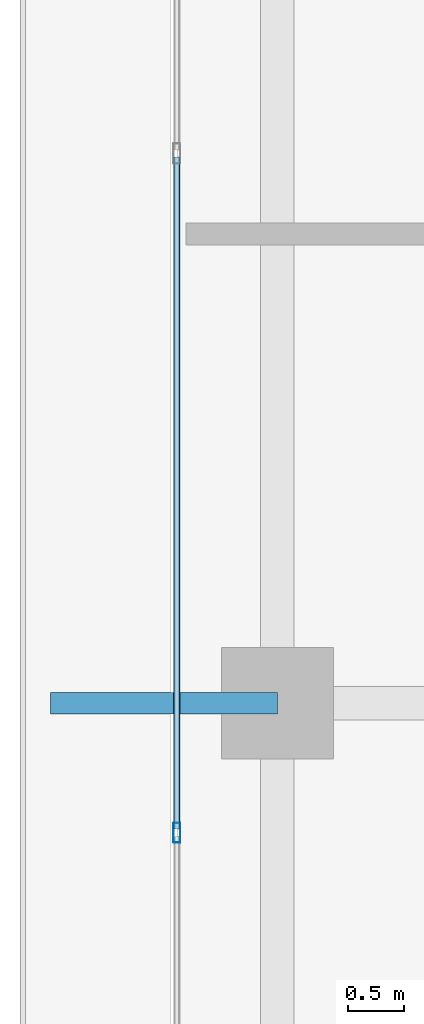
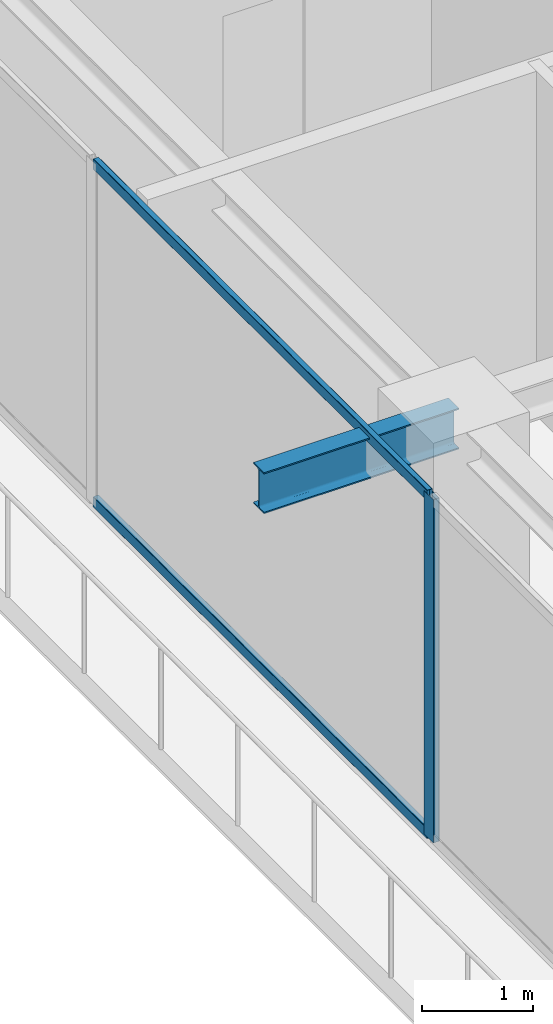
# One storey, part 10 of 42: 3 members, 1 beam, 1 element without a shape of its own.
"""IFC4 building model written with IfcOpenShell, lengths in metres."""

from ifc_helpers import new_model, si_unit, direction, frame, origin, origin_2d, place, context, subcontext, project, spatial, hollow_rectangle, i_section, extrude, source, transform, mapped, material, layer, layer_set, material_profile, profile_set, type_object, element, aggregate, save


model = new_model("IFC4")

# Units and contexts
model_context = context("Model", 3, precision=1e-05, world=origin(), true_north=direction((0.0, 1.0)))
body_context = subcontext(model_context, "Body", "Model", "MODEL_VIEW")
ifc_project = project(units=[si_unit("LENGTHUNIT", "METRE"), si_unit("AREAUNIT", "SQUARE_METRE"), si_unit("VOLUMEUNIT", "CUBIC_METRE"), si_unit("PLANEANGLEUNIT", "RADIAN"), si_unit("MASSUNIT", "GRAM", prefix="KILO")], contexts=[model_context])

# Site, building, storey
site_placement = place(None, origin())
site = spatial("IfcSite", under=ifc_project, at=site_placement, CompositionType="ELEMENT")
building_placement = place(site_placement, origin())
building = spatial("IfcBuilding", under=site, at=building_placement, Name="Serunith Strait Residences", CompositionType="ELEMENT")
storey_placement = place(building_placement, frame((0.0, 0.0, 309.64990234375)))
storey = spatial("IfcBuildingStorey", under=building, at=storey_placement, Name="L77", CompositionType="ELEMENT", Elevation=309.64990234375)

# Beam
ifc_material_1 = material(Name="Steel S355J2", Category="steel")
ifc_material_profile_1 = material_profile(ifc_material_1, i_section(OverallWidth=0.18994140625, OverallDepth=0.449951171875, WebThickness=0.009521484375, FlangeThickness=0.0146484375, FilletRadius=0.02099609375, at=origin_2d()), Name="IPE 450")
ifc_profile_set_1 = profile_set([ifc_material_profile_1], Name="Steel S355J2")
beam_type = type_object("IfcBeamType", Name="BM-IPE450", PredefinedType="JOIST", material=ifc_profile_set_1)
shared_shape_1 = source(origin(), body_context, "Body", "SweptSolid", [
    extrude(i_section(OverallWidth=0.18994140625, OverallDepth=0.449951171875, WebThickness=0.009521484375, FlangeThickness=0.0146484375, FilletRadius=0.02099609375, at=origin_2d()), origin(), (0.0, 0.0, 1.0), 2.030029296875),
])
beam_placement = place(storey_placement, frame((10.10009765625, 29.39990234375, 3.531982421875), z_axis=(-1.0, 0.0, 0.0), x_axis=(0.0, -1.0, 0.0)))
element("IfcBeam", 1, at=beam_placement, inside=storey, type_object=beam_type, Name="L78 Cantilevered Balcony Rib TC-W3", PredefinedType="JOIST", context=body_context, shape_type="MappedRepresentation", body=[
    mapped(shared_shape_1, transform((0.0, 0.0, 0.0), scale=1.0)),
])

# Curtain wall, members
ifc_material_2 = material(Name="Brushed Stainless-Silver Aluminium", Category="aluminium")
ifc_layer = layer(ifc_material_2, 0.199951171875, Name="Brushed Stainless-Silver Aluminium")
ifc_layer_set = layer_set([ifc_layer], Name="Brushed Stainless-Silver Aluminium")
curtain_wall_type = type_object("IfcCurtainWallType", Name="CW-SYS5", PredefinedType="NOTDEFINED", material=ifc_layer_set)
curtain_wall_placement = place(storey_placement, origin())
curtain_wall = element("IfcCurtainWall", 2, at=curtain_wall_placement, inside=storey, type_object=curtain_wall_type, Name="L77 W Unitised Fritted Curtain Wall", PredefinedType="NOTDEFINED")
ifc_material_profile_2 = material_profile(ifc_material_2, hollow_rectangle(XDim=0.06494140625, YDim=0.179931640625, WallThickness=0.00341796875, InnerFilletRadius=0.00537109375, OuterFilletRadius=0.0087890625, at=origin_2d()), Name="ALU 180x65x3.5")
ifc_profile_set_2 = profile_set([ifc_material_profile_2], Name="Brushed Stainless-Silver Aluminium")
member_type_1 = type_object("IfcMemberType", Name="CW-SYS5-MULL", PredefinedType="MULLION", material=ifc_profile_set_2)
shared_shape_2 = source(origin(), body_context, "Body", "SweptSolid", [
    extrude(hollow_rectangle(XDim=0.06494140625, YDim=0.179931640625, WallThickness=0.00341796875, InnerFilletRadius=0.00537109375, OuterFilletRadius=0.0087890625, at=origin_2d()), origin(), (0.0, 0.0, 1.0), 3.775146484375),
])
member_1_placement = place(storey_placement, frame((9.199951171875, 28.239990234375, 0.0), z_axis=(0.0, 0.0, 1.0), x_axis=(1.0, 0.0, 0.0)))
member_1 = element("IfcMember", 3, at=member_1_placement, type_object=member_type_1, Name="CW-5 mullion 3", PredefinedType="MULLION", context=body_context, shape_type="MappedRepresentation", body=[
    mapped(shared_shape_2, transform((0.0, 0.0, 0.0), scale=1.0)),
])
ifc_material_profile_3 = material_profile(ifc_material_2, hollow_rectangle(XDim=0.06005859375, YDim=0.1201171875, WallThickness=0.00341796875, InnerFilletRadius=0.00537109375, OuterFilletRadius=0.0087890625, at=origin_2d()), Name="ALU 120x60x3.5")
ifc_profile_set_3 = profile_set([ifc_material_profile_3], Name="Brushed Stainless-Silver Aluminium")
member_type_2 = type_object("IfcMemberType", Name="CW-SYS5-TRAN", PredefinedType="USERDEFINED", material=ifc_profile_set_3)
shared_shape_3 = source(origin(), body_context, "Body", "SweptSolid", [
    extrude(hollow_rectangle(XDim=0.06005859375, YDim=0.1201171875, WallThickness=0.00341796875, InnerFilletRadius=0.00537109375, OuterFilletRadius=0.0087890625, at=origin_2d()), origin(), (0.0, 0.0, 1.0), 6.01513671875),
])
member_2_placement = place(storey_placement, frame((9.199951171875, 34.28759765625, 0.030029296875), z_axis=(0.0, -1.0, 0.0), x_axis=(1.0, 0.0, 0.0)))
member_2 = element("IfcMember", 4, at=member_2_placement, type_object=member_type_2, Name="CW-5 transom 2.1", ObjectType="TRANSOM", PredefinedType="USERDEFINED", context=body_context, shape_type="MappedRepresentation", body=[
    mapped(shared_shape_3, transform((0.0, 0.0, 0.0), scale=1.0)),
])
member_3_placement = place(storey_placement, frame((9.199951171875, 34.28759765625, 3.7451171875), z_axis=(0.0, -1.0, 0.0), x_axis=(1.0, 0.0, 0.0)))
member_3 = element("IfcMember", 5, at=member_3_placement, type_object=member_type_2, Name="CW-5 transom 2.2", ObjectType="TRANSOM", PredefinedType="USERDEFINED", context=body_context, shape_type="MappedRepresentation", body=[
    mapped(shared_shape_3, transform((0.0, 0.0, 0.0), scale=1.0)),
])
aggregate(curtain_wall, [member_1, member_2, member_3])

save(model, "model.ifc")
